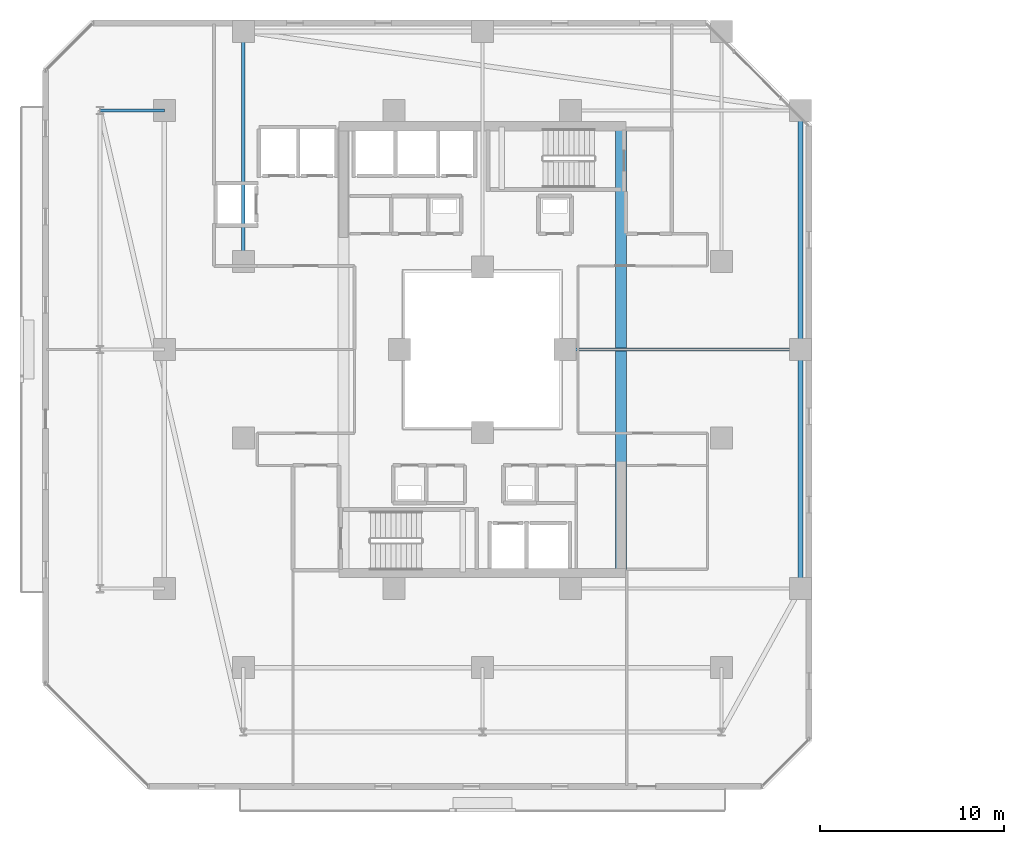
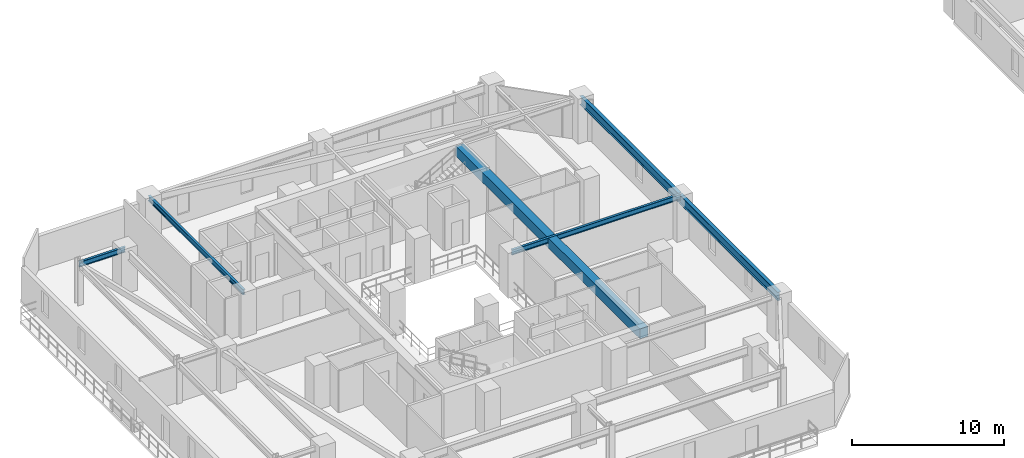
# One storey, part 6 of 31: 6 beams.
"""IFC4 building model written with IfcOpenShell, lengths in metres."""

import ifcopenshell
import ifcopenshell.guid

model = None  # the IFC model being written
_history = None  # IfcOwnerHistory: only IFC2X3 demands one
_inside = {}  # id of a spatial element -> (the spatial element, [elements in it])
_under = {}  # id of a project, library or spatial element -> (it, [spatial elements below it])
_declared = {}  # id of a project -> (the project, [libraries it declares])
_typed = {}  # id of a type object -> (the type object, [elements of that type])
_made_of = {}  # id of a material, layer set ... -> (it, [elements and type objects made of it])


def new_model(schema):
    """Start an empty IFC model of exactly this schema.

    Asked for "IFC4X3", IfcOpenShell would pick the latest addendum, in which some entities
    have other attributes; the version numbers below select the first issue.
    IFC2X3 requires an IfcOwnerHistory on every rooted entity: one is made here for all.
    """
    global model, _history
    if schema == "IFC4X3":
        model = ifcopenshell.file(schema_version=(4, 3, 0, 0))
    else:
        model = ifcopenshell.file(schema=schema)
    _inside.clear()
    _under.clear()
    _declared.clear()
    _typed.clear()
    _made_of.clear()
    _history = None
    if model.schema == "IFC2X3":
        org = make("IfcOrganization", Name="unknown")
        user = make(
            "IfcPersonAndOrganization",
            ThePerson=make("IfcPerson", FamilyName="unknown"),
            TheOrganization=org,
        )
        app = make(
            "IfcApplication",
            ApplicationDeveloper=org,
            Version="unknown",
            ApplicationFullName="unknown",
            ApplicationIdentifier="unknown",
        )
        _history = make(
            "IfcOwnerHistory",
            OwningUser=user,
            OwningApplication=app,
            ChangeAction="ADDED",
            CreationDate=0,
        )
    return model


def make(cls, **values):
    """One entity of the class cls with the attributes given. An attribute that is None is left unset."""
    return model.create_entity(
        cls, **{name: value for name, value in values.items() if value is not None}
    )


def rooted(cls, **values):
    """An entity with a GlobalId (a new one), such as an element, a storey or a relation."""
    return make(cls, GlobalId=ifcopenshell.guid.new(), OwnerHistory=_history, **values)


def si_unit(unit_type, name, prefix=None):
    """IfcSIUnit, for example si_unit("LENGTHUNIT", "METRE", prefix="MILLI")."""
    return make("IfcSIUnit", UnitType=unit_type, Prefix=prefix, Name=name)


def assignment(units):
    """IfcUnitAssignment: the units of a project."""
    return None if units is None else make("IfcUnitAssignment", Units=units)


def point(xyz):
    """IfcCartesianPoint."""
    return None if xyz is None else make("IfcCartesianPoint", Coordinates=xyz)


def direction(xyz):
    """IfcDirection."""
    return None if xyz is None else make("IfcDirection", DirectionRatios=xyz)


def frame(location, z_axis=None, x_axis=None):
    """IfcAxis2Placement3D, a coordinate frame: its origin and axes. An axis left out is left unset."""
    return make(
        "IfcAxis2Placement3D",
        Location=point(location),
        Axis=direction(z_axis),
        RefDirection=direction(x_axis),
    )


def frame_2d(location, x_axis=None):
    """IfcAxis2Placement2D, a coordinate frame in the plane: its origin and x axis."""
    return make(
        "IfcAxis2Placement2D", Location=point(location), RefDirection=direction(x_axis)
    )


def origin():
    """The frame at (0, 0, 0) with its axes left unset."""
    return frame((0.0, 0.0, 0.0))


def origin_2d():
    """The frame at (0, 0) in the plane with its x axis left unset."""
    return frame_2d((0.0, 0.0))


def place(relative_to, where):
    """IfcLocalPlacement: puts the frame where relative to a parent placement (None: the world)."""
    return make(
        "IfcLocalPlacement", PlacementRelTo=relative_to, RelativePlacement=where
    )


def context(
    kind, dimensions, precision=None, world=None, true_north=None, identifier=None
):
    """IfcGeometricRepresentationContext, for example the 3D "Model" context."""
    return make(
        "IfcGeometricRepresentationContext",
        ContextIdentifier=identifier,
        ContextType=kind,
        CoordinateSpaceDimension=dimensions,
        Precision=precision,
        WorldCoordinateSystem=world,
        TrueNorth=true_north,
    )


def subcontext(parent, identifier, kind, view, scale=None):
    """IfcGeometricRepresentationSubContext, for example "Body" below "Model"."""
    return make(
        "IfcGeometricRepresentationSubContext",
        ContextIdentifier=identifier,
        ContextType=kind,
        ParentContext=parent,
        TargetScale=scale,
        TargetView=view,
    )


def project(units=None, contexts=None):
    """IfcProject with its units and contexts."""
    return rooted(
        "IfcProject",
        Name="project",
        RepresentationContexts=contexts,
        UnitsInContext=assignment(units),
    )


def spatial(cls, under=None, at=None, **own):
    """A site, building, storey or space (cls), placed at a placement, below another one or the project."""
    s = rooted(cls, ObjectPlacement=at, **own)
    if under is not None:
        _under.setdefault(under.id(), (under, []))[1].append(s)
    return s


def profile(cls, at=None, kind="AREA", **sizes):
    """A parametric profile (cls). Its sizes go by their IFC names, for example OverallWidth=200.0."""
    return make(cls, ProfileType=kind, Position=at, **sizes)


def rectangle(**sizes):
    """IfcRectangleProfileDef."""
    return profile("IfcRectangleProfileDef", **sizes)


def i_section(**sizes):
    """IfcIShapeProfileDef."""
    return profile("IfcIShapeProfileDef", **sizes)


def extrude(swept, where, along, depth):
    """IfcExtrudedAreaSolid: the profile swept, set in the frame where, extruded along a direction by depth."""
    return make(
        "IfcExtrudedAreaSolid",
        SweptArea=swept,
        Position=where,
        ExtrudedDirection=direction(along),
        Depth=depth,
    )


def shape(context_of_items, identifier, shape_type, items):
    """IfcShapeRepresentation: the items that make up one representation, for example the "Body"."""
    return make(
        "IfcShapeRepresentation",
        ContextOfItems=context_of_items,
        RepresentationIdentifier=identifier,
        RepresentationType=shape_type,
        Items=items,
    )


def material(Name=None, Category=None):
    """IfcMaterial."""
    return make("IfcMaterial", Name=Name, Category=Category)


def material_profile(
    of_material, cross_section, Name=None, Category=None, Priority=None
):
    """IfcMaterialProfile: a cross section and its material."""
    return make(
        "IfcMaterialProfile",
        Name=Name,
        Material=of_material,
        Profile=cross_section,
        Priority=Priority,
        Category=Category,
    )


def profile_set(profiles, Name=None, composite=None):
    """IfcMaterialProfileSet."""
    return make(
        "IfcMaterialProfileSet",
        Name=Name,
        MaterialProfiles=profiles,
        CompositeProfile=composite,
    )


def made_of(thing, what):
    """Note that an element or type object is made of a material, layer set ...; save() writes the relation."""
    if what is not None:
        _made_of.setdefault(what.id(), (what, []))[1].append(thing)
    return thing


def type_object(cls, material=None, **own):
    """A type object (cls), such as IfcWallType, which elements share."""
    return made_of(rooted(cls, **own), material)


def element(
    cls,
    number,
    at=None,
    inside=None,
    cuts=None,
    type_object=None,
    material=None,
    context=None,
    identifier="Body",
    shape_type=None,
    held_by="IfcProductDefinitionShape",
    body=None,
    shapes=None,
    **own,
):
    """One element of the class cls, such as IfcWall. Its Tag is "e" and its number.

    at: its placement. inside: the storey or other place that contains it. cuts: it is an
    opening in that element (IfcRelVoidsElement). A single representation is given by context,
    identifier, shape_type and body (its items); several are given by shapes. held_by: the class
    of the entity that holds the representations. save() writes the other relations.
    """
    e = rooted(cls, Tag="e%d" % number, ObjectPlacement=at, **own)
    if body is not None:
        shapes = [shape(context, identifier, shape_type, body)]
    if shapes is not None:
        e.Representation = make(held_by, Representations=shapes)
    if inside is not None:
        _inside.setdefault(inside.id(), (inside, []))[1].append(e)
    if cuts is not None:
        rooted(
            "IfcRelVoidsElement", RelatingBuildingElement=cuts, RelatedOpeningElement=e
        )
    if type_object is not None:
        _typed.setdefault(type_object.id(), (type_object, []))[1].append(e)
    return made_of(e, material)


def aggregate(whole, parts):
    """IfcRelAggregates: a whole, such as a stair, and the parts it consists of."""
    return rooted("IfcRelAggregates", RelatingObject=whole, RelatedObjects=parts)


def save(model, path):
    """Write the relations noted so far, then the file.

    IfcRelAggregates (storeys below a building ...), IfcRelContainedInSpatialStructure (elements
    in a storey), IfcRelDefinesByType, IfcRelAssociatesMaterial and IfcRelDeclares: one each for
    every whole, place, type object, material and project.
    """
    for whole, parts in _under.values():
        aggregate(whole, parts)
    for where, things in _inside.values():
        rooted(
            "IfcRelContainedInSpatialStructure",
            RelatedElements=things,
            RelatingStructure=where,
        )
    for kind, things in _typed.values():
        rooted("IfcRelDefinesByType", RelatedObjects=things, RelatingType=kind)
    for what, things in _made_of.values():
        rooted("IfcRelAssociatesMaterial", RelatedObjects=things, RelatingMaterial=what)
    for by, libraries in _declared.values():
        rooted("IfcRelDeclares", RelatingContext=by, RelatedDefinitions=libraries)
    model.write(path)


model = new_model("IFC4")

# Units and contexts
model_context = context("Model", 3, precision=1e-05, world=origin(), true_north=direction((0.0, 1.0)))
body_context = subcontext(model_context, "Body", "Model", "MODEL_VIEW")
ifc_project = project(units=[si_unit("LENGTHUNIT", "METRE"), si_unit("AREAUNIT", "SQUARE_METRE"), si_unit("VOLUMEUNIT", "CUBIC_METRE"), si_unit("PLANEANGLEUNIT", "RADIAN"), si_unit("MASSUNIT", "GRAM", prefix="KILO")], contexts=[model_context])

# Site, building, storey
site_placement = place(None, origin())
site = spatial("IfcSite", under=ifc_project, at=site_placement, CompositionType="ELEMENT")
building_placement = place(site_placement, origin())
building = spatial("IfcBuilding", under=site, at=building_placement, Name="Thornwick Lancets Civic Towers", CompositionType="ELEMENT")
storey_placement = place(building_placement, frame((0.0, 0.0, 126.89990234375)))
storey = spatial("IfcBuildingStorey", under=building, at=storey_placement, Name="L33", CompositionType="ELEMENT", Elevation=126.89990234375)

# Beams
ifc_material_1 = material(Name="Concrete C60/75", Category="concrete")
ifc_material_profile_1 = material_profile(ifc_material_1, rectangle(XDim=0.60009765625, YDim=0.800048828125, at=origin_2d()), Name="RC 600x800")
ifc_profile_set_1 = profile_set([ifc_material_profile_1], Name="Concrete C60/75")
beam_type_1 = type_object("IfcBeamType", Name="BM_COUP_RC800", PredefinedType="BEAM", material=ifc_profile_set_1)
beam_1_placement = place(storey_placement, frame((33.050048828125, 14.89990234375, 2.960205078125), z_axis=(0.0, 1.0, 0.0), x_axis=(-1.0, 0.0, 0.0)))
element("IfcBeam", 1, at=beam_1_placement, inside=storey, type_object=beam_type_1, Name="CB-L33-A1", PredefinedType="BEAM", context=body_context, shape_type="SweptSolid", body=[
    extrude(rectangle(XDim=0.60009765625, YDim=0.800048828125, at=origin_2d()), origin(), (0.0, 0.0, 1.0), 24.2001953125),
])
ifc_material_2 = material(Name="Steel S355JR", Category="steel")
ifc_material_profile_2 = material_profile(ifc_material_2, i_section(OverallWidth=0.255859375, OverallDepth=0.69287109375, WebThickness=0.014404296875, FlangeThickness=0.023681640625, FilletRadius=0.01513671875, at=origin_2d()), Name="UKB 686x254x170")
ifc_profile_set_2 = profile_set([ifc_material_profile_2], Name="Steel S355JR")
beam_type_2 = type_object("IfcBeamType", Name="BM_GIRD_686_170", PredefinedType="BEAM", material=ifc_profile_set_2)
beam_2_placement = place(storey_placement, frame((42.800048828125, 14.0, 3.013671875), z_axis=(0.0, 1.0, 0.0), x_axis=(-1.0, 0.0, 0.0)))
element("IfcBeam", 2, at=beam_2_placement, inside=storey, type_object=beam_type_2, Name="BM-SPINE-L33-A-3-4", PredefinedType="BEAM", context=body_context, shape_type="SweptSolid", body=[
    extrude(i_section(OverallWidth=0.255859375, OverallDepth=0.69287109375, WebThickness=0.014404296875, FlangeThickness=0.023681640625, FilletRadius=0.01513671875, at=origin_2d()), origin(), (0.0, 0.0, 1.0), 13.0),
])
beam_3_placement = place(storey_placement, frame((42.800048828125, 27.080078125, 3.013671875), z_axis=(0.0, 1.0, 0.0), x_axis=(-1.0, 0.0, 0.0)))
element("IfcBeam", 3, at=beam_3_placement, inside=storey, type_object=beam_type_2, Name="BM-SPINE-L33-A-4-5", PredefinedType="BEAM", context=body_context, shape_type="SweptSolid", body=[
    extrude(i_section(OverallWidth=0.255859375, OverallDepth=0.69287109375, WebThickness=0.014404296875, FlangeThickness=0.023681640625, FilletRadius=0.01513671875, at=origin_2d()), origin(), (0.0, 0.0, 1.0), 12.919921875),
])
ifc_material_profile_3 = material_profile(ifc_material_2, i_section(OverallWidth=0.179443359375, OverallDepth=0.412841796875, WebThickness=0.009521484375, FlangeThickness=0.01611328125, FilletRadius=0.01025390625, at=origin_2d()), Name="UKB 406x178x74")
ifc_profile_set_3 = profile_set([ifc_material_profile_3], Name="Steel S355JR")
beam_type_3 = type_object("IfcBeamType", Name="BM_JOIST_406_74", PredefinedType="JOIST", material=ifc_profile_set_3)
beam_4_placement = place(storey_placement, frame((30.0, 27.0, 3.15380859375), z_axis=(1.0, 0.0, 0.0), x_axis=(0.0, 1.0, 0.0)))
element("IfcBeam", 4, at=beam_4_placement, inside=storey, type_object=beam_type_3, Name="BM-RADIN-L33-A05", PredefinedType="JOIST", context=body_context, shape_type="SweptSolid", body=[
    extrude(i_section(OverallWidth=0.179443359375, OverallDepth=0.412841796875, WebThickness=0.009521484375, FlangeThickness=0.01611328125, FilletRadius=0.01025390625, at=origin_2d()), origin(), (0.0, 0.0, 1.0), 12.800048828125),
])
beam_5_placement = place(storey_placement, frame((12.5, 31.800048828125, 3.15380859375), z_axis=(0.0, 1.0, 0.0), x_axis=(-1.0, 0.0, 0.0)))
element("IfcBeam", 5, at=beam_5_placement, inside=storey, type_object=beam_type_3, Name="BM-RADIN-L33-A07", PredefinedType="JOIST", context=body_context, shape_type="SweptSolid", body=[
    extrude(i_section(OverallWidth=0.179443359375, OverallDepth=0.412841796875, WebThickness=0.009521484375, FlangeThickness=0.01611328125, FilletRadius=0.01025390625, at=origin_2d()), origin(), (0.0, 0.0, 1.0), 12.5),
])
beam_6_placement = place(storey_placement, frame((8.199951171875, 40.0, 3.15380859375), z_axis=(-1.0, 0.0, 0.0), x_axis=(0.0, -1.0, 0.0)))
element("IfcBeam", 6, at=beam_6_placement, inside=storey, type_object=beam_type_3, Name="BM-RAD-L33-A12", PredefinedType="JOIST", context=body_context, shape_type="SweptSolid", body=[
    extrude(i_section(OverallWidth=0.179443359375, OverallDepth=0.412841796875, WebThickness=0.009521484375, FlangeThickness=0.01611328125, FilletRadius=0.01025390625, at=origin_2d()), origin(), (0.0, 0.0, 1.0), 3.5),
])

save(model, "model.ifc")
